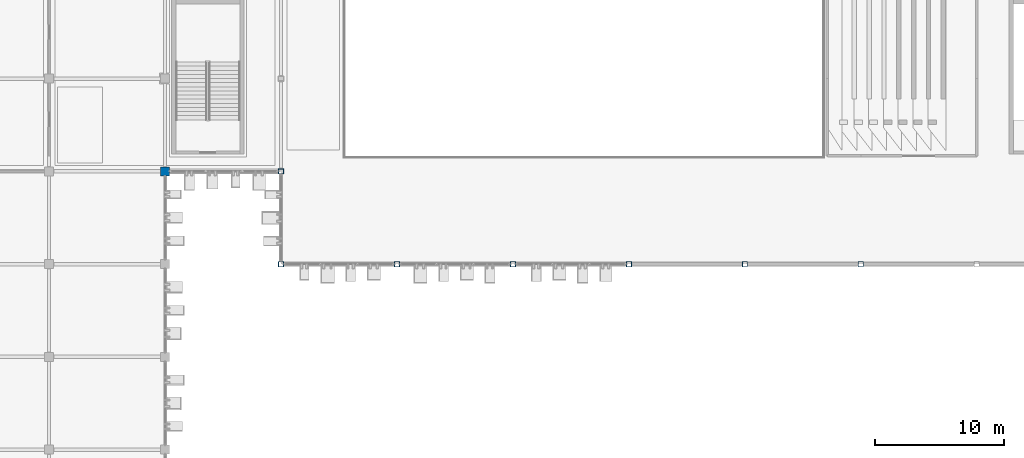
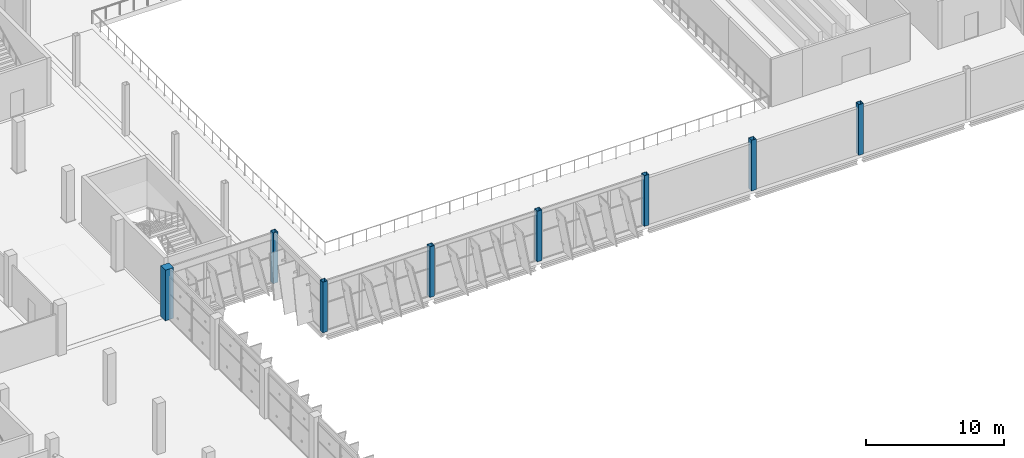
# One storey, part 9 of 151: 8 columns.
"""IFC4 building model written with IfcOpenShell, lengths in metres."""

from ifc_helpers import new_model, si_unit, direction, frame, origin, origin_2d, place, context, subcontext, project, spatial, rectangle, hollow_rectangle, extrude, material, material_profile, profile_set, type_object, element, save


model = new_model("IFC4")

# Units and contexts
model_context = context("Model", 3, precision=1e-05, world=origin(), true_north=direction((0.0, 1.0)))
body_context = subcontext(model_context, "Body", "Model", "MODEL_VIEW")
ifc_project = project(units=[si_unit("LENGTHUNIT", "METRE"), si_unit("AREAUNIT", "SQUARE_METRE"), si_unit("VOLUMEUNIT", "CUBIC_METRE"), si_unit("PLANEANGLEUNIT", "RADIAN"), si_unit("MASSUNIT", "GRAM", prefix="KILO")], contexts=[model_context])

# Site, building, storey
site_placement = place(None, origin())
site = spatial("IfcSite", under=ifc_project, at=site_placement, CompositionType="ELEMENT")
building_placement = place(site_placement, origin())
building = spatial("IfcBuilding", under=site, at=building_placement, Name="Celestram Park Convention Centre", CompositionType="ELEMENT")
storey_placement = place(building_placement, frame((0.0, 0.0, 10.800048828125)))
storey = spatial("IfcBuildingStorey", under=building, at=storey_placement, Name="L02", CompositionType="ELEMENT", Elevation=10.800048828125)

# Columns
ifc_material_1 = material(Name="Steel ASTM A500 Grade C", Category="steel")
ifc_material_profile_1 = material_profile(ifc_material_1, hollow_rectangle(XDim=0.39990234375, YDim=0.39990234375, WallThickness=0.01611328125, at=origin_2d()), Name="HSS400X400X16")
ifc_profile_set_1 = profile_set([ifc_material_profile_1], Name="Steel ASTM A500 Grade C")
column_type_1 = type_object("IfcColumnType", Name="STR-COL-HSS400", PredefinedType="COLUMN", material=ifc_profile_set_1)
for number, where, z_axis, x_axis, name in (
    (1, (153.0, 115.199951171875, 0.0), (0.0, 0.0, 1.0), (1.0, 0.0, 0.0), "Column CN-L02-187"),
    (2, (153.0, 122.39990234375, 0.0), (0.0, 0.0, 1.0), (1.0, 0.0, 0.0), "Column CN-L02-188"),
    (3, (162.0, 115.199951171875, 0.0), (0.0, 0.0, 1.0), (1.0, 0.0, 0.0), "Column CN-L02-201"),
    (4, (171.0, 115.199951171875, 0.0), (0.0, 0.0, 1.0), (1.0, 0.0, 0.0), "Column CN-L02-205"),
    (5, (180.0, 115.199951171875, 0.0), (0.0, 0.0, 1.0), (1.0, 0.0, 0.0), "Column CN-L02-209"),
    (6, (189.0, 115.199951171875, 0.0), (0.0, 0.0, 1.0), (1.0, 0.0, 0.0), "Column CN-L02-213"),
    (7, (198.0, 115.199951171875, 0.0), (0.0, 0.0, 1.0), (1.0, 0.0, 0.0), "Column CN-L02-217"),
):
    element("IfcColumn", number, at=place(storey_placement, frame(where, z_axis=z_axis, x_axis=x_axis)), inside=storey, type_object=column_type_1, Name=name, PredefinedType="COLUMN", context=body_context, shape_type="SweptSolid", body=[
        extrude(hollow_rectangle(XDim=0.39990234375, YDim=0.39990234375, WallThickness=0.01611328125, at=origin_2d()), origin(), (0.0, 0.0, 1.0), 4.5),
    ])
ifc_material_2 = material(Name="Concrete C40/50", Category="concrete")
ifc_material_profile_2 = material_profile(ifc_material_2, rectangle(XDim=0.699951171875, YDim=0.699951171875, at=origin_2d()), Name="RC700X700")
ifc_profile_set_2 = profile_set([ifc_material_profile_2], Name="Concrete C40/50")
column_type_2 = type_object("IfcColumnType", Name="STR-COL-RC700", PredefinedType="COLUMN", material=ifc_profile_set_2)
column_placement = place(storey_placement, frame((144.0, 122.39990234375, 0.0), z_axis=(0.0, 0.0, 1.0), x_axis=(1.0, 0.0, 0.0)))
element("IfcColumn", 8, at=column_placement, inside=storey, type_object=column_type_2, Name="Column CN-L02-174", PredefinedType="COLUMN", context=body_context, shape_type="SweptSolid", body=[
    extrude(rectangle(XDim=0.699951171875, YDim=0.699951171875, at=origin_2d()), origin(), (0.0, 0.0, 1.0), 4.5),
])

save(model, "model.ifc")
